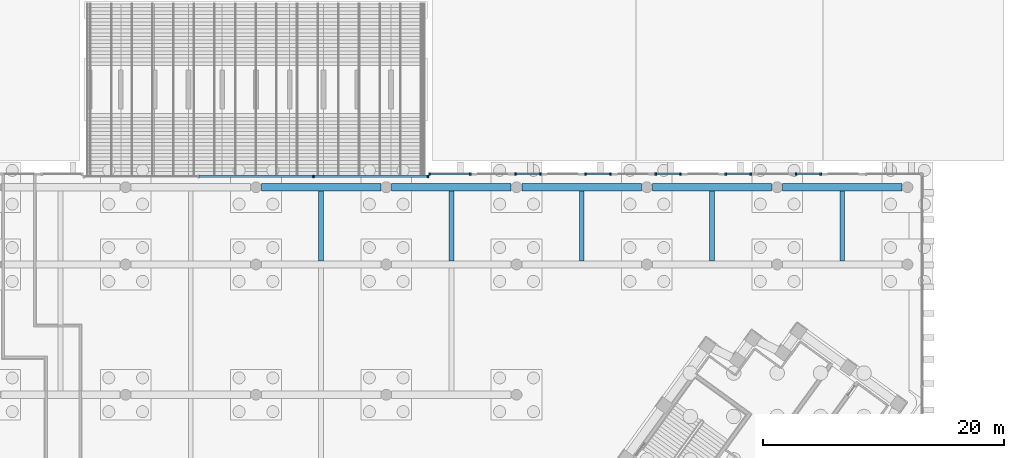
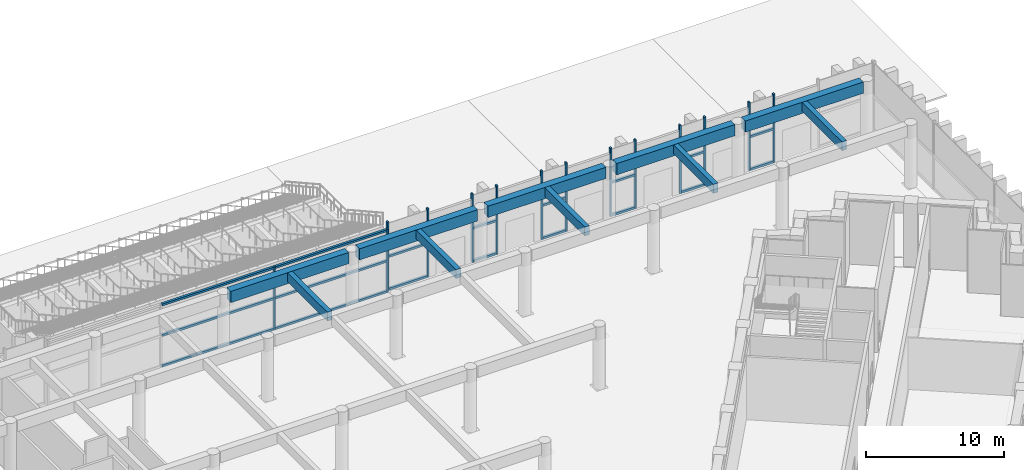
# One storey, part 11 of 32: 32 members, 10 beams, 7 elements without a shape of their own.
"""IFC4 building model written with IfcOpenShell, lengths in metres."""

from ifc_helpers import new_model, si_unit, direction, frame, origin, origin_2d, place, context, subcontext, project, spatial, rectangle, extrude, material, material_profile, profile_set, type_object, element, aggregate, save


model = new_model("IFC4")

# Units and contexts
model_context = context("Model", 3, precision=1e-05, world=origin(), true_north=direction((0.0, 1.0)))
body_context = subcontext(model_context, "Body", "Model", "MODEL_VIEW")
ifc_project = project(units=[si_unit("LENGTHUNIT", "METRE"), si_unit("AREAUNIT", "SQUARE_METRE"), si_unit("VOLUMEUNIT", "CUBIC_METRE"), si_unit("PLANEANGLEUNIT", "RADIAN"), si_unit("MASSUNIT", "GRAM", prefix="KILO")], contexts=[model_context])

# Site, building, storey
site_placement = place(None, origin())
site = spatial("IfcSite", under=ifc_project, at=site_placement, CompositionType="ELEMENT")
building_placement = place(site_placement, origin())
building = spatial("IfcBuilding", under=site, at=building_placement, Name="Quipu Civic Tower", CompositionType="ELEMENT")
storey_placement = place(building_placement, origin())
storey = spatial("IfcBuildingStorey", under=building, at=storey_placement, Name="L00", CompositionType="ELEMENT", Elevation=0.0)

# Beams
ifc_material_1 = material(Name="Concrete C50/60", Category="concrete")
ifc_material_profile_1 = material_profile(ifc_material_1, rectangle(XDim=0.39990234375, YDim=0.800048828125, at=origin_2d()), Name="RC400x800")
ifc_profile_set_1 = profile_set([ifc_material_profile_1], Name="Concrete C50/60")
beam_type_1 = type_object("IfcBeamType", Name="Deck beam RC 400x800 C50/60", PredefinedType="BEAM", material=ifc_profile_set_1)
for number, where, z_axis, x_axis, name in (
    (1, (5.39990234375, 48.89990234375, 5.199951171875), (0.0, 1.0, 0.0), (-1.0, 0.0, 0.0), "Deck beam 1 49"),
    (2, (16.199951171875, 48.89990234375, 5.199951171875), (0.0, 1.0, 0.0), (-1.0, 0.0, 0.0), "Deck beam 3 49"),
    (3, (27.0, 48.89990234375, 5.199951171875), (0.0, 1.0, 0.0), (-1.0, 0.0, 0.0), "Deck beam 5 49"),
    (4, (37.800048828125, 48.89990234375, 5.199951171875), (0.0, 1.0, 0.0), (-1.0, 0.0, 0.0), "Deck beam 7 49"),
    (5, (48.60009765625, 48.89990234375, 5.199951171875), (0.0, 1.0, 0.0), (-1.0, 0.0, 0.0), "Deck beam 9 49"),
):
    element("IfcBeam", number, at=place(storey_placement, frame(where, z_axis=z_axis, x_axis=x_axis)), inside=storey, type_object=beam_type_1, Name=name, PredefinedType="BEAM", context=body_context, shape_type="SweptSolid", body=[
        extrude(rectangle(XDim=0.39990234375, YDim=0.800048828125, at=origin_2d()), origin(), (0.0, 0.0, 1.0), 5.800048828125),
    ])
ifc_material_2 = material(Name="Concrete C50/60", Category="concrete")
ifc_material_profile_2 = material_profile(ifc_material_2, rectangle(XDim=0.60009765625, YDim=1.0, at=origin_2d()), Name="RC600x1000")
ifc_profile_set_2 = profile_set([ifc_material_profile_2], Name="Concrete C50/60")
beam_type_2 = type_object("IfcBeamType", Name="Deck girder RC 600x1000 C50/60", PredefinedType="BEAM", material=ifc_profile_set_2)
beam_1_placement = place(storey_placement, frame((0.449951171875, 55.0, 5.10009765625), z_axis=(1.0, 0.0, 0.0), x_axis=(0.0, 1.0, 0.0)))
element("IfcBeam", 6, at=beam_1_placement, inside=storey, type_object=beam_type_2, Name="Deck girder 0 55", PredefinedType="BEAM", context=body_context, shape_type="SweptSolid", body=[
    extrude(rectangle(XDim=0.60009765625, YDim=1.0, at=origin_2d()), origin(), (0.0, 0.0, 1.0), 9.900146484375),
])
for number, where, z_axis, x_axis, name in (
    (7, (11.25, 55.0, 5.10009765625), (1.0, 0.0, 0.0), (0.0, 1.0, 0.0), "Deck girder 2 55"),
    (8, (22.050048828125, 55.0, 5.10009765625), (1.0, 0.0, 0.0), (0.0, 1.0, 0.0), "Deck girder 4 55"),
    (9, (32.85009765625, 55.0, 5.10009765625), (1.0, 0.0, 0.0), (0.0, 1.0, 0.0), "Deck girder 6 55"),
):
    element("IfcBeam", number, at=place(storey_placement, frame(where, z_axis=z_axis, x_axis=x_axis)), inside=storey, type_object=beam_type_2, Name=name, PredefinedType="BEAM", context=body_context, shape_type="SweptSolid", body=[
        extrude(rectangle(XDim=0.60009765625, YDim=1.0, at=origin_2d()), origin(), (0.0, 0.0, 1.0), 9.89990234375),
    ])
beam_2_placement = place(storey_placement, frame((43.64990234375, 55.0, 5.10009765625), z_axis=(1.0, 0.0, 0.0), x_axis=(0.0, 1.0, 0.0)))
element("IfcBeam", 10, at=beam_2_placement, inside=storey, type_object=beam_type_2, Name="Deck girder 8 55", PredefinedType="BEAM", context=body_context, shape_type="SweptSolid", body=[
    extrude(rectangle(XDim=0.60009765625, YDim=1.0, at=origin_2d()), origin(), (0.0, 0.0, 1.0), 9.900146484375),
])

# Curtain wall, members
ifc_material_3 = material(Name="Insulated glass unit", Category="glass")
curtain_wall_type = type_object("IfcCurtainWallType", Name="Hall glazing CW2", PredefinedType="NOTDEFINED", material=ifc_material_3)
curtain_wall_1_placement = place(storey_placement, origin())
curtain_wall_1 = element("IfcCurtainWall", 11, at=curtain_wall_1_placement, inside=storey, type_object=curtain_wall_type, Name="Hall glazing CW2 L00 run 7", PredefinedType="NOTDEFINED")
ifc_material_4 = material(Name="Anodised aluminium", Category="aluminium")
ifc_material_profile_3 = material_profile(ifc_material_4, rectangle(XDim=0.199951171875, YDim=0.139892578125, at=origin_2d()), Name="RECT 200x140")
ifc_profile_set_3 = profile_set([ifc_material_profile_3], Name="Anodised aluminium")
member_type_1 = type_object("IfcMemberType", Name="Mullion CW2", PredefinedType="MULLION", material=ifc_profile_set_3)
member_1_placement = place(storey_placement, frame((46.81494140625, 56.10009765625, 0.0), z_axis=(0.0, 0.0, 1.0), x_axis=(0.0, -1.0, 0.0)))
member_1 = element("IfcMember", 12, at=member_1_placement, type_object=member_type_1, Name="CW2 mullion 1", PredefinedType="MULLION", context=body_context, shape_type="SweptSolid", body=[
    extrude(rectangle(XDim=0.199951171875, YDim=0.139892578125, at=origin_2d()), origin(), (0.0, 0.0, 1.0), 6.090087890625),
])
member_2_placement = place(storey_placement, frame((44.7509765625, 56.10009765625, 0.0), z_axis=(0.0, 0.0, 1.0), x_axis=(0.0, -1.0, 0.0)))
member_2 = element("IfcMember", 13, at=member_2_placement, type_object=member_type_1, Name="CW2 mullion 2", PredefinedType="MULLION", context=body_context, shape_type="SweptSolid", body=[
    extrude(rectangle(XDim=0.199951171875, YDim=0.139892578125, at=origin_2d()), origin(), (0.0, 0.0, 1.0), 6.090087890625),
])

curtain_wall_2_placement = place(storey_placement, origin())
curtain_wall_2 = element("IfcCurtainWall", 14, at=curtain_wall_2_placement, inside=storey, type_object=curtain_wall_type, Name="Hall glazing CW2 L00 run 9", PredefinedType="NOTDEFINED")
member_3_placement = place(storey_placement, frame((41.00439453125, 56.10009765625, 0.0), z_axis=(0.0, 0.0, 1.0), x_axis=(0.0, -1.0, 0.0)))
member_3 = element("IfcMember", 15, at=member_3_placement, type_object=member_type_1, Name="CW2 mullion 1", PredefinedType="MULLION", context=body_context, shape_type="SweptSolid", body=[
    extrude(rectangle(XDim=0.199951171875, YDim=0.139892578125, at=origin_2d()), origin(), (0.0, 0.0, 1.0), 6.090087890625),
])
member_4_placement = place(storey_placement, frame((38.9404296875, 56.10009765625, 0.0), z_axis=(0.0, 0.0, 1.0), x_axis=(0.0, -1.0, 0.0)))
member_4 = element("IfcMember", 16, at=member_4_placement, type_object=member_type_1, Name="CW2 mullion 2", PredefinedType="MULLION", context=body_context, shape_type="SweptSolid", body=[
    extrude(rectangle(XDim=0.199951171875, YDim=0.139892578125, at=origin_2d()), origin(), (0.0, 0.0, 1.0), 6.090087890625),
])

curtain_wall_3_placement = place(storey_placement, origin())
curtain_wall_3 = element("IfcCurtainWall", 17, at=curtain_wall_3_placement, inside=storey, type_object=curtain_wall_type, Name="Hall glazing CW2 L00 run 11", PredefinedType="NOTDEFINED")
member_5_placement = place(storey_placement, frame((35.19384765625, 56.10009765625, 0.0), z_axis=(0.0, 0.0, 1.0), x_axis=(0.0, -1.0, 0.0)))
member_5 = element("IfcMember", 18, at=member_5_placement, type_object=member_type_1, Name="CW2 mullion 1", PredefinedType="MULLION", context=body_context, shape_type="SweptSolid", body=[
    extrude(rectangle(XDim=0.199951171875, YDim=0.139892578125, at=origin_2d()), origin(), (0.0, 0.0, 1.0), 6.090087890625),
])
member_6_placement = place(storey_placement, frame((33.1298828125, 56.10009765625, 0.0), z_axis=(0.0, 0.0, 1.0), x_axis=(0.0, -1.0, 0.0)))
member_6 = element("IfcMember", 19, at=member_6_placement, type_object=member_type_1, Name="CW2 mullion 2", PredefinedType="MULLION", context=body_context, shape_type="SweptSolid", body=[
    extrude(rectangle(XDim=0.199951171875, YDim=0.139892578125, at=origin_2d()), origin(), (0.0, 0.0, 1.0), 6.090087890625),
])

curtain_wall_4_placement = place(storey_placement, origin())
curtain_wall_4 = element("IfcCurtainWall", 20, at=curtain_wall_4_placement, inside=storey, type_object=curtain_wall_type, Name="Hall glazing CW2 L00 run 13", PredefinedType="NOTDEFINED")
member_7_placement = place(storey_placement, frame((29.38330078125, 56.10009765625, 0.0), z_axis=(0.0, 0.0, 1.0), x_axis=(0.0, -1.0, 0.0)))
member_7 = element("IfcMember", 21, at=member_7_placement, type_object=member_type_1, Name="CW2 mullion 1", PredefinedType="MULLION", context=body_context, shape_type="SweptSolid", body=[
    extrude(rectangle(XDim=0.199951171875, YDim=0.139892578125, at=origin_2d()), origin(), (0.0, 0.0, 1.0), 6.090087890625),
])
member_8_placement = place(storey_placement, frame((27.3193359375, 56.10009765625, 0.0), z_axis=(0.0, 0.0, 1.0), x_axis=(0.0, -1.0, 0.0)))
member_8 = element("IfcMember", 22, at=member_8_placement, type_object=member_type_1, Name="CW2 mullion 2", PredefinedType="MULLION", context=body_context, shape_type="SweptSolid", body=[
    extrude(rectangle(XDim=0.199951171875, YDim=0.139892578125, at=origin_2d()), origin(), (0.0, 0.0, 1.0), 6.090087890625),
])

curtain_wall_5_placement = place(storey_placement, origin())
curtain_wall_5 = element("IfcCurtainWall", 23, at=curtain_wall_5_placement, inside=storey, type_object=curtain_wall_type, Name="Hall glazing CW2 L00 run 15", PredefinedType="NOTDEFINED")
member_9_placement = place(storey_placement, frame((23.57275390625, 56.10009765625, 0.0), z_axis=(0.0, 0.0, 1.0), x_axis=(0.0, -1.0, 0.0)))
member_9 = element("IfcMember", 24, at=member_9_placement, type_object=member_type_1, Name="CW2 mullion 1", PredefinedType="MULLION", context=body_context, shape_type="SweptSolid", body=[
    extrude(rectangle(XDim=0.199951171875, YDim=0.139892578125, at=origin_2d()), origin(), (0.0, 0.0, 1.0), 6.090087890625),
])
member_10_placement = place(storey_placement, frame((21.5087890625, 56.10009765625, 0.0), z_axis=(0.0, 0.0, 1.0), x_axis=(0.0, -1.0, 0.0)))
member_10 = element("IfcMember", 25, at=member_10_placement, type_object=member_type_1, Name="CW2 mullion 2", PredefinedType="MULLION", context=body_context, shape_type="SweptSolid", body=[
    extrude(rectangle(XDim=0.199951171875, YDim=0.139892578125, at=origin_2d()), origin(), (0.0, 0.0, 1.0), 6.090087890625),
])

curtain_wall_6_placement = place(storey_placement, origin())
curtain_wall_6 = element("IfcCurtainWall", 26, at=curtain_wall_6_placement, inside=storey, type_object=curtain_wall_type, Name="Hall glazing CW2 L00 run 17", PredefinedType="NOTDEFINED")
member_11_placement = place(storey_placement, frame((17.76220703125, 56.10009765625, 0.0), z_axis=(0.0, 0.0, 1.0), x_axis=(0.0, -1.0, 0.0)))
member_11 = element("IfcMember", 27, at=member_11_placement, type_object=member_type_1, Name="CW2 mullion 1", PredefinedType="MULLION", context=body_context, shape_type="SweptSolid", body=[
    extrude(rectangle(XDim=0.199951171875, YDim=0.139892578125, at=origin_2d()), origin(), (0.0, 0.0, 1.0), 6.090087890625),
])
member_12_placement = place(storey_placement, frame((14.39599609375, 56.10009765625, 0.0), z_axis=(0.0, 0.0, 1.0), x_axis=(0.0, -1.0, 0.0)))
member_12 = element("IfcMember", 28, at=member_12_placement, type_object=member_type_1, Name="CW2 mullion 2", PredefinedType="MULLION", context=body_context, shape_type="SweptSolid", body=[
    extrude(rectangle(XDim=0.199951171875, YDim=0.139892578125, at=origin_2d()), origin(), (0.0, 0.0, 1.0), 6.090087890625),
])

curtain_wall_7_placement = place(storey_placement, origin())
curtain_wall_7 = element("IfcCurtainWall", 29, at=curtain_wall_7_placement, inside=storey, type_object=curtain_wall_type, Name="Hall glazing CW2 L00 run 18", PredefinedType="NOTDEFINED")
member_13_placement = place(storey_placement, frame((14.255859375, 55.89990234375, 0.0), z_axis=(0.0, 0.0, 1.0), x_axis=(0.0, -1.0, 0.0)))
member_13 = element("IfcMember", 30, at=member_13_placement, type_object=member_type_1, Name="CW2 mullion 1", PredefinedType="MULLION", context=body_context, shape_type="SweptSolid", body=[
    extrude(rectangle(XDim=0.199951171875, YDim=0.139892578125, at=origin_2d()), origin(), (0.0, 0.0, 1.0), 5.60009765625),
])
member_14_placement = place(storey_placement, frame((4.775390625, 55.89990234375, 0.0), z_axis=(0.0, 0.0, 1.0), x_axis=(0.0, -1.0, 0.0)))
member_14 = element("IfcMember", 31, at=member_14_placement, type_object=member_type_1, Name="CW2 mullion 2", PredefinedType="MULLION", context=body_context, shape_type="SweptSolid", body=[
    extrude(rectangle(XDim=0.199951171875, YDim=0.139892578125, at=origin_2d()), origin(), (0.0, 0.0, 1.0), 5.60009765625),
])

# Member
ifc_material_5 = material(Name="Anodised aluminium", Category="aluminium")
ifc_material_profile_4 = material_profile(ifc_material_5, rectangle(XDim=0.199951171875, YDim=0.179931640625, at=origin_2d()), Name="RECT 200x180")
ifc_profile_set_4 = profile_set([ifc_material_profile_4], Name="Anodised aluminium")
member_type_2 = type_object("IfcMemberType", Name="Transom CW2", PredefinedType="USERDEFINED", material=ifc_profile_set_4)
member_15_placement = place(storey_placement, frame((46.744873046875, 56.10009765625, 0.090087890625), z_axis=(-1.0, 0.0, 0.0), x_axis=(0.0, -1.0, 0.0)))
member_15 = element("IfcMember", 32, at=member_15_placement, type_object=member_type_2, Name="CW2 transom 1.1", ObjectType="TRANSOM", PredefinedType="USERDEFINED", context=body_context, shape_type="SweptSolid", body=[
    extrude(rectangle(XDim=0.199951171875, YDim=0.179931640625, at=origin_2d()), origin(), (0.0, 0.0, 1.0), 1.924072265625),
])

member_16_placement = place(storey_placement, frame((46.744873046875, 56.10009765625, 3.0), z_axis=(-1.0, 0.0, 0.0), x_axis=(0.0, -1.0, 0.0)))
member_16 = element("IfcMember", 33, at=member_16_placement, type_object=member_type_2, Name="CW2 transom 1.2", ObjectType="TRANSOM", PredefinedType="USERDEFINED", context=body_context, shape_type="SweptSolid", body=[
    extrude(rectangle(XDim=0.199951171875, YDim=0.179931640625, at=origin_2d()), origin(), (0.0, 0.0, 1.0), 1.924072265625),
])

aggregate(curtain_wall_1, [member_1, member_2, member_15, member_16])

member_17_placement = place(storey_placement, frame((40.934326171875, 56.10009765625, 0.090087890625), z_axis=(-1.0, 0.0, 0.0), x_axis=(0.0, -1.0, 0.0)))
member_17 = element("IfcMember", 34, at=member_17_placement, type_object=member_type_2, Name="CW2 transom 1.1", ObjectType="TRANSOM", PredefinedType="USERDEFINED", context=body_context, shape_type="SweptSolid", body=[
    extrude(rectangle(XDim=0.199951171875, YDim=0.179931640625, at=origin_2d()), origin(), (0.0, 0.0, 1.0), 1.923828125),
])

member_18_placement = place(storey_placement, frame((40.934326171875, 56.10009765625, 3.0), z_axis=(-1.0, 0.0, 0.0), x_axis=(0.0, -1.0, 0.0)))
member_18 = element("IfcMember", 35, at=member_18_placement, type_object=member_type_2, Name="CW2 transom 1.2", ObjectType="TRANSOM", PredefinedType="USERDEFINED", context=body_context, shape_type="SweptSolid", body=[
    extrude(rectangle(XDim=0.199951171875, YDim=0.179931640625, at=origin_2d()), origin(), (0.0, 0.0, 1.0), 1.923828125),
])

aggregate(curtain_wall_2, [member_3, member_4, member_17, member_18])

member_19_placement = place(storey_placement, frame((35.123779296875, 56.10009765625, 0.090087890625), z_axis=(-1.0, 0.0, 0.0), x_axis=(0.0, -1.0, 0.0)))
member_19 = element("IfcMember", 36, at=member_19_placement, type_object=member_type_2, Name="CW2 transom 1.1", ObjectType="TRANSOM", PredefinedType="USERDEFINED", context=body_context, shape_type="SweptSolid", body=[
    extrude(rectangle(XDim=0.199951171875, YDim=0.179931640625, at=origin_2d()), origin(), (0.0, 0.0, 1.0), 1.923828125),
])

member_20_placement = place(storey_placement, frame((35.123779296875, 56.10009765625, 3.0), z_axis=(-1.0, 0.0, 0.0), x_axis=(0.0, -1.0, 0.0)))
member_20 = element("IfcMember", 37, at=member_20_placement, type_object=member_type_2, Name="CW2 transom 1.2", ObjectType="TRANSOM", PredefinedType="USERDEFINED", context=body_context, shape_type="SweptSolid", body=[
    extrude(rectangle(XDim=0.199951171875, YDim=0.179931640625, at=origin_2d()), origin(), (0.0, 0.0, 1.0), 1.923828125),
])

aggregate(curtain_wall_3, [member_5, member_6, member_19, member_20])

member_21_placement = place(storey_placement, frame((29.313232421875, 56.10009765625, 0.090087890625), z_axis=(-1.0, 0.0, 0.0), x_axis=(0.0, -1.0, 0.0)))
member_21 = element("IfcMember", 38, at=member_21_placement, type_object=member_type_2, Name="CW2 transom 1.1", ObjectType="TRANSOM", PredefinedType="USERDEFINED", context=body_context, shape_type="SweptSolid", body=[
    extrude(rectangle(XDim=0.199951171875, YDim=0.179931640625, at=origin_2d()), origin(), (0.0, 0.0, 1.0), 1.923828125),
])

member_22_placement = place(storey_placement, frame((29.313232421875, 56.10009765625, 3.0), z_axis=(-1.0, 0.0, 0.0), x_axis=(0.0, -1.0, 0.0)))
member_22 = element("IfcMember", 39, at=member_22_placement, type_object=member_type_2, Name="CW2 transom 1.2", ObjectType="TRANSOM", PredefinedType="USERDEFINED", context=body_context, shape_type="SweptSolid", body=[
    extrude(rectangle(XDim=0.199951171875, YDim=0.179931640625, at=origin_2d()), origin(), (0.0, 0.0, 1.0), 1.923828125),
])

aggregate(curtain_wall_4, [member_7, member_8, member_21, member_22])

member_23_placement = place(storey_placement, frame((23.502685546875, 56.10009765625, 0.090087890625), z_axis=(-1.0, 0.0, 0.0), x_axis=(0.0, -1.0, 0.0)))
member_23 = element("IfcMember", 40, at=member_23_placement, type_object=member_type_2, Name="CW2 transom 1.1", ObjectType="TRANSOM", PredefinedType="USERDEFINED", context=body_context, shape_type="SweptSolid", body=[
    extrude(rectangle(XDim=0.199951171875, YDim=0.179931640625, at=origin_2d()), origin(), (0.0, 0.0, 1.0), 1.923828125),
])

member_24_placement = place(storey_placement, frame((23.502685546875, 56.10009765625, 3.0), z_axis=(-1.0, 0.0, 0.0), x_axis=(0.0, -1.0, 0.0)))
member_24 = element("IfcMember", 41, at=member_24_placement, type_object=member_type_2, Name="CW2 transom 1.2", ObjectType="TRANSOM", PredefinedType="USERDEFINED", context=body_context, shape_type="SweptSolid", body=[
    extrude(rectangle(XDim=0.199951171875, YDim=0.179931640625, at=origin_2d()), origin(), (0.0, 0.0, 1.0), 1.923828125),
])

aggregate(curtain_wall_5, [member_9, member_10, member_23, member_24])

member_25_placement = place(storey_placement, frame((17.6923828125, 56.10009765625, 0.090087890625), z_axis=(-1.0, 0.0, 0.0), x_axis=(0.0, -1.0, 0.0)))
member_25 = element("IfcMember", 42, at=member_25_placement, type_object=member_type_2, Name="CW2 transom 1.1", ObjectType="TRANSOM", PredefinedType="USERDEFINED", context=body_context, shape_type="SweptSolid", body=[
    extrude(rectangle(XDim=0.199951171875, YDim=0.179931640625, at=origin_2d()), origin(), (0.0, 0.0, 1.0), 3.2265625),
])

member_26_placement = place(storey_placement, frame((17.6923828125, 56.10009765625, 3.0), z_axis=(-1.0, 0.0, 0.0), x_axis=(0.0, -1.0, 0.0)))
member_26 = element("IfcMember", 43, at=member_26_placement, type_object=member_type_2, Name="CW2 transom 1.2", ObjectType="TRANSOM", PredefinedType="USERDEFINED", context=body_context, shape_type="SweptSolid", body=[
    extrude(rectangle(XDim=0.199951171875, YDim=0.179931640625, at=origin_2d()), origin(), (0.0, 0.0, 1.0), 3.2265625),
])

aggregate(curtain_wall_6, [member_11, member_12, member_25, member_26])

member_27_placement = place(storey_placement, frame((14.185791015625, 55.89990234375, 0.090087890625), z_axis=(-1.0, 0.0, 0.0), x_axis=(0.0, -1.0, 0.0)))
member_27 = element("IfcMember", 44, at=member_27_placement, type_object=member_type_2, Name="CW2 transom 1.1", ObjectType="TRANSOM", PredefinedType="USERDEFINED", context=body_context, shape_type="SweptSolid", body=[
    extrude(rectangle(XDim=0.199951171875, YDim=0.179931640625, at=origin_2d()), origin(), (0.0, 0.0, 1.0), 9.340576171875),
])

member_28_placement = place(storey_placement, frame((14.185791015625, 55.89990234375, 2.800048828125), z_axis=(-1.0, 0.0, 0.0), x_axis=(0.0, -1.0, 0.0)))
member_28 = element("IfcMember", 45, at=member_28_placement, type_object=member_type_2, Name="CW2 transom 1.2", ObjectType="TRANSOM", PredefinedType="USERDEFINED", context=body_context, shape_type="SweptSolid", body=[
    extrude(rectangle(XDim=0.199951171875, YDim=0.179931640625, at=origin_2d()), origin(), (0.0, 0.0, 1.0), 9.340576171875),
])

member_29_placement = place(storey_placement, frame((14.185791015625, 55.89990234375, 5.510009765625), z_axis=(-1.0, 0.0, 0.0), x_axis=(0.0, -1.0, 0.0)))
member_29 = element("IfcMember", 46, at=member_29_placement, type_object=member_type_2, Name="CW2 transom 1.3", ObjectType="TRANSOM", PredefinedType="USERDEFINED", context=body_context, shape_type="SweptSolid", body=[
    extrude(rectangle(XDim=0.199951171875, YDim=0.179931640625, at=origin_2d()), origin(), (0.0, 0.0, 1.0), 9.340576171875),
])

member_30_placement = place(storey_placement, frame((4.705322265625, 55.89990234375, 0.090087890625), z_axis=(-1.0, 0.0, 0.0), x_axis=(0.0, -1.0, 0.0)))
member_30 = element("IfcMember", 47, at=member_30_placement, type_object=member_type_2, Name="CW2 transom 2.1", ObjectType="TRANSOM", PredefinedType="USERDEFINED", context=body_context, shape_type="SweptSolid", body=[
    extrude(rectangle(XDim=0.199951171875, YDim=0.179931640625, at=origin_2d()), origin(), (0.0, 0.0, 1.0), 9.41064453125),
])

member_31_placement = place(storey_placement, frame((4.705322265625, 55.89990234375, 2.800048828125), z_axis=(-1.0, 0.0, 0.0), x_axis=(0.0, -1.0, 0.0)))
member_31 = element("IfcMember", 48, at=member_31_placement, type_object=member_type_2, Name="CW2 transom 2.2", ObjectType="TRANSOM", PredefinedType="USERDEFINED", context=body_context, shape_type="SweptSolid", body=[
    extrude(rectangle(XDim=0.199951171875, YDim=0.179931640625, at=origin_2d()), origin(), (0.0, 0.0, 1.0), 9.41064453125),
])

member_32_placement = place(storey_placement, frame((4.705322265625, 55.89990234375, 5.510009765625), z_axis=(-1.0, 0.0, 0.0), x_axis=(0.0, -1.0, 0.0)))
member_32 = element("IfcMember", 49, at=member_32_placement, type_object=member_type_2, Name="CW2 transom 2.3", ObjectType="TRANSOM", PredefinedType="USERDEFINED", context=body_context, shape_type="SweptSolid", body=[
    extrude(rectangle(XDim=0.199951171875, YDim=0.179931640625, at=origin_2d()), origin(), (0.0, 0.0, 1.0), 9.41064453125),
])

aggregate(curtain_wall_7, [member_13, member_14, member_27, member_28, member_29, member_30, member_31, member_32])

save(model, "model.ifc")
